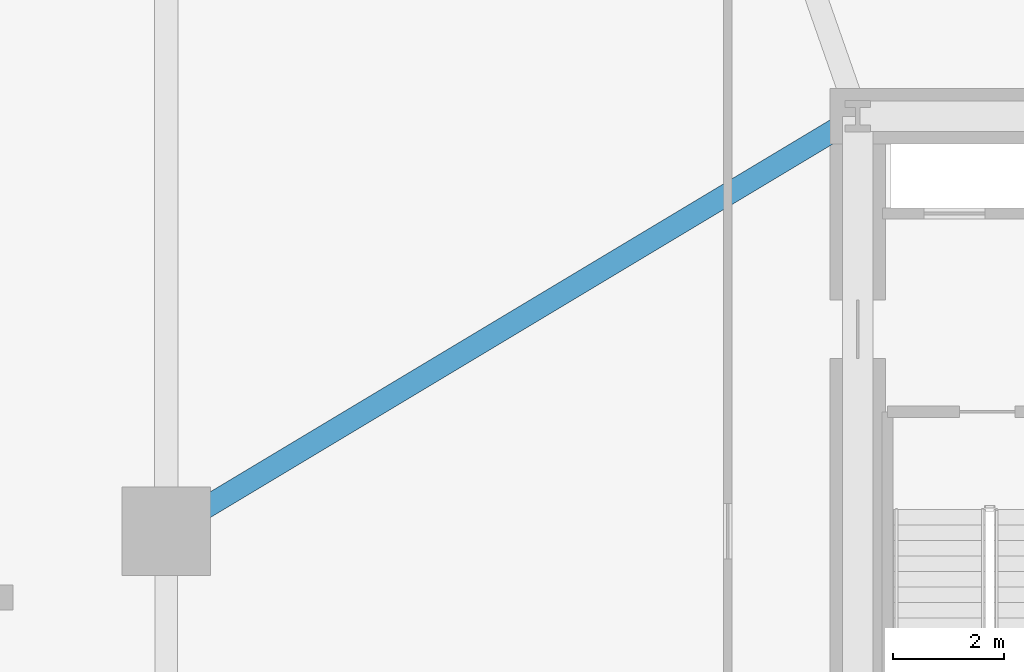
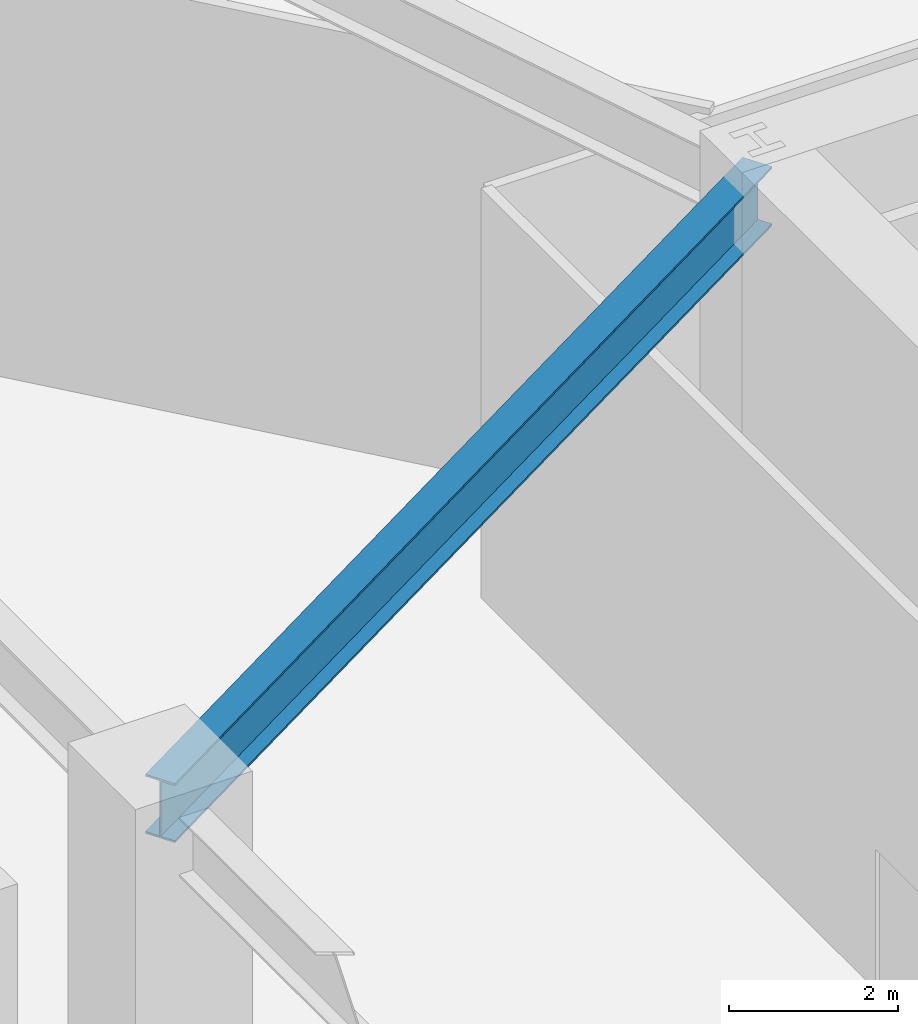
# One storey, part 7 of 17: 1 beam.
"""IFC4 building model written with IfcOpenShell, lengths in metres."""

from ifc_helpers import new_model, si_unit, direction, frame, origin, origin_2d, place, context, subcontext, project, spatial, i_section, extrude, material, material_profile, profile_set, type_object, element, save


model = new_model("IFC4")

# Units and contexts
model_context = context("Model", 3, precision=1e-05, world=origin(), true_north=direction((0.0, 1.0)))
body_context = subcontext(model_context, "Body", "Model", "MODEL_VIEW")
ifc_project = project(units=[si_unit("LENGTHUNIT", "METRE"), si_unit("AREAUNIT", "SQUARE_METRE"), si_unit("VOLUMEUNIT", "CUBIC_METRE"), si_unit("PLANEANGLEUNIT", "RADIAN"), si_unit("MASSUNIT", "GRAM", prefix="KILO")], contexts=[model_context])

# Site, building, storey
site_placement = place(None, origin())
site = spatial("IfcSite", under=ifc_project, at=site_placement, CompositionType="ELEMENT")
building_placement = place(site_placement, origin())
building = spatial("IfcBuilding", under=site, at=building_placement, Name="Kilnhurst Terrace Hotel", CompositionType="ELEMENT")
storey_placement = place(building_placement, frame((0.0, 0.0, 11.39990234375)))
storey = spatial("IfcBuildingStorey", under=building, at=storey_placement, Name="L02", CompositionType="ELEMENT", Elevation=11.39990234375)

# Beam
ifc_material = material(Name="Steel ASTM A992 Grade 50", Category="steel")
ifc_material_profile = material_profile(ifc_material, i_section(OverallWidth=0.39990234375, OverallDepth=0.85546875, WebThickness=0.018310546875, FlangeThickness=0.029296875, at=origin_2d()), Name="W33X201")
ifc_profile_set = profile_set([ifc_material_profile], Name="Steel ASTM A992 Grade 50")
beam_type = type_object("IfcBeamType", Name="BM-STL-W33X201", PredefinedType="BEAM", material=ifc_profile_set)
beam_placement = place(storey_placement, frame((-21.5, 0.0, 6.4521484375), z_axis=(0.857492925713, 0.514495755428, 0.0), x_axis=(-0.514495755428, 0.857492925713, 0.0)))
element("IfcBeam", 1, at=beam_placement, inside=storey, type_object=beam_type, Name="L02 Podium Frame Beam 9", PredefinedType="BEAM", context=body_context, shape_type="SweptSolid", body=[
    extrude(i_section(OverallWidth=0.39990234375, OverallDepth=0.85546875, WebThickness=0.018310546875, FlangeThickness=0.029296875, at=origin_2d()), origin(), (0.0, 0.0, 1.0), 14.577392578125),
])

save(model, "model.ifc")
